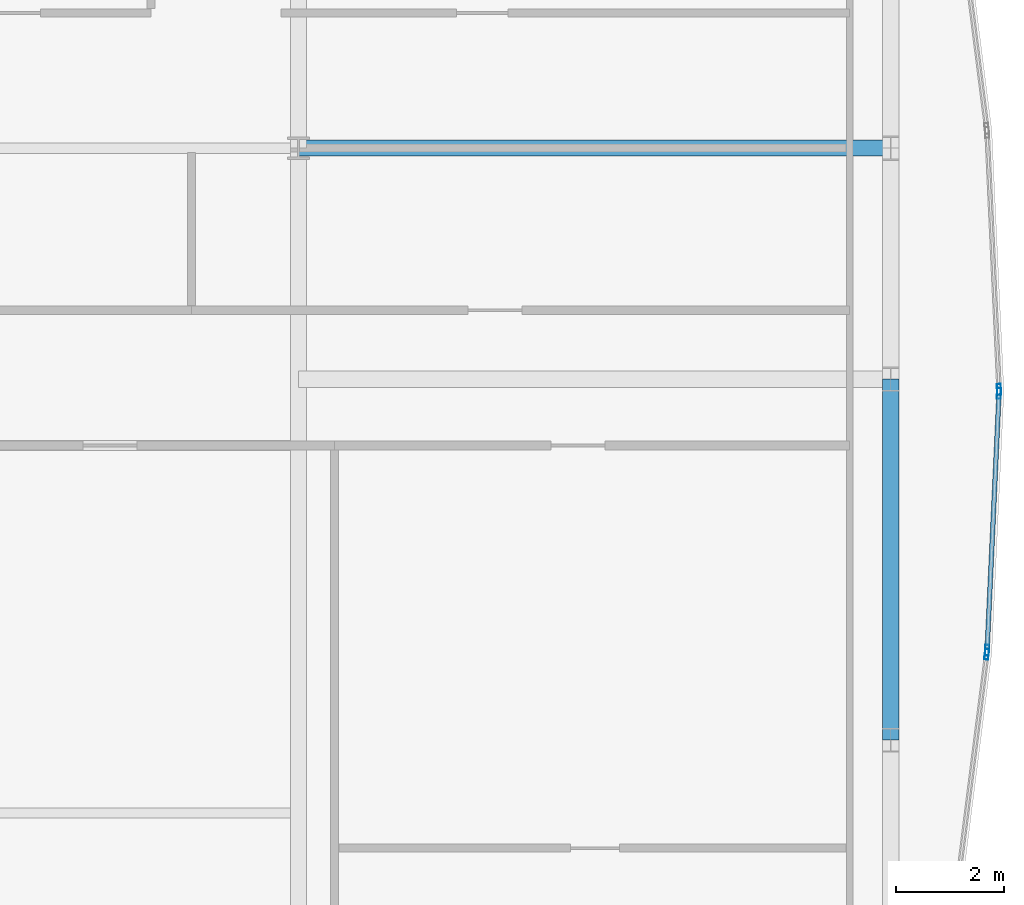
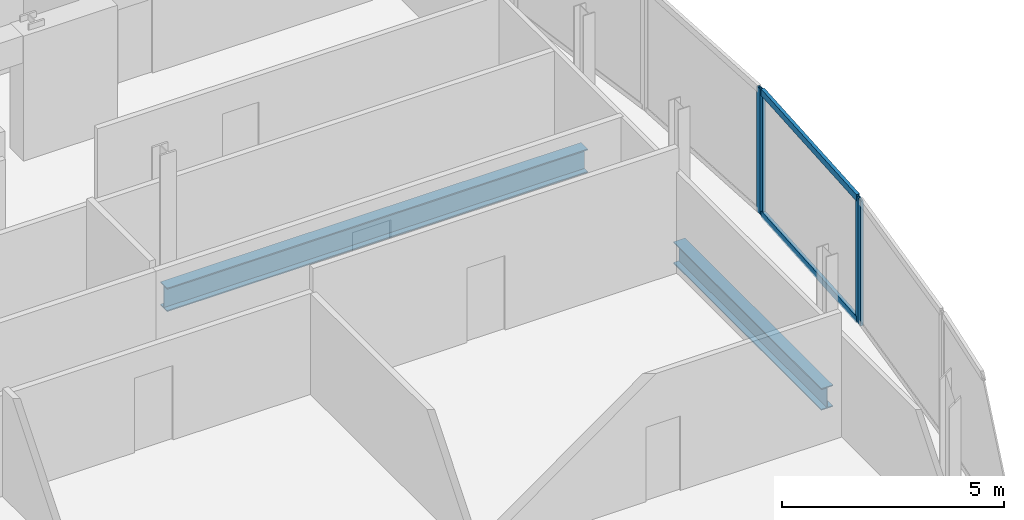
# One storey, part 18 of 30: 6 members, 2 beams, 3 elements without a shape of their own.
"""IFC4 building model written with IfcOpenShell, lengths in metres."""

from ifc_helpers import new_model, si_unit, direction, frame, origin, origin_2d, place, context, subcontext, project, spatial, hollow_rectangle, i_section, extrude, material, material_profile, profile_set, type_object, element, aggregate, save


model = new_model("IFC4")

# Units and contexts
model_context = context("Model", 3, precision=1e-05, world=origin(), true_north=direction((0.0, 1.0)))
body_context = subcontext(model_context, "Body", "Model", "MODEL_VIEW")
ifc_project = project(units=[si_unit("LENGTHUNIT", "METRE"), si_unit("AREAUNIT", "SQUARE_METRE"), si_unit("VOLUMEUNIT", "CUBIC_METRE"), si_unit("PLANEANGLEUNIT", "RADIAN"), si_unit("MASSUNIT", "GRAM", prefix="KILO")], contexts=[model_context])

# Site, building, storey
site_placement = place(None, origin())
site = spatial("IfcSite", under=ifc_project, at=site_placement, CompositionType="ELEMENT")
building_placement = place(site_placement, origin())
building = spatial("IfcBuilding", under=site, at=building_placement, Name="Khoronbel Lancet Exchange", CompositionType="ELEMENT")
storey_placement = place(building_placement, frame((0.0, 0.0, 224.60009765625)))
storey = spatial("IfcBuildingStorey", under=building, at=storey_placement, Name="L57", CompositionType="ELEMENT", Elevation=224.60009765625)

# Beams
ifc_material_1 = material(Name="Steel S355", Category="steel")
ifc_material_profile_1 = material_profile(ifc_material_1, i_section(OverallWidth=0.300048828125, OverallDepth=0.64990234375, WebThickness=0.01611328125, FlangeThickness=0.031005859375, at=origin_2d()), Name="HEB 650")
ifc_profile_set_1 = profile_set([ifc_material_profile_1], Name="Steel S355")
beam_type_1 = type_object("IfcBeamType", Name="BM-BG4", PredefinedType="BEAM", material=ifc_profile_set_1)
beam_1_placement = place(storey_placement, frame((54.675048828125, 35.699951171875, -0.485107421875), z_axis=(1.0, 0.0, 0.0), x_axis=(0.0, 1.0, 0.0)))
element("IfcBeam", 1, at=beam_1_placement, inside=storey, type_object=beam_type_1, Name="Level L57 east lens tie girder LG4E", PredefinedType="BEAM", context=body_context, shape_type="SweptSolid", body=[
    extrude(i_section(OverallWidth=0.300048828125, OverallDepth=0.64990234375, WebThickness=0.01611328125, FlangeThickness=0.031005859375, at=origin_2d()), origin(), (0.0, 0.0, 1.0), 10.954833984375),
])
ifc_material_profile_2 = material_profile(ifc_material_1, i_section(OverallWidth=0.300048828125, OverallDepth=0.60009765625, WebThickness=0.015380859375, FlangeThickness=0.030029296875, at=origin_2d()), Name="HEB 600")
ifc_profile_set_2 = profile_set([ifc_material_profile_2], Name="Steel S355")
beam_type_2 = type_object("IfcBeamType", Name="BM-BSP2", PredefinedType="SPANDREL", material=ifc_profile_set_2)
beam_2_placement = place(storey_placement, frame((65.6298828125, 24.75, -0.460205078125), z_axis=(0.0, 1.0, 0.0), x_axis=(-1.0, 0.0, 0.0)))
element("IfcBeam", 2, at=beam_2_placement, inside=storey, type_object=beam_type_2, Name="Level L57 perimeter spandrel beam SP12", PredefinedType="SPANDREL", context=body_context, shape_type="SweptSolid", body=[
    extrude(i_section(OverallWidth=0.300048828125, OverallDepth=0.60009765625, WebThickness=0.015380859375, FlangeThickness=0.030029296875, at=origin_2d()), origin(), (0.0, 0.0, 1.0), 6.675048828125),
])

# Curtain wall, member
ifc_material_2 = material(Name="Low-E Solar Control Insulating Glass", Category="glass")
curtain_wall_type = type_object("IfcCurtainWallType", Name="CW-4", PredefinedType="NOTDEFINED", material=ifc_material_2)
curtain_wall_1_placement = place(storey_placement, origin())
curtain_wall_1 = element("IfcCurtainWall", 3, at=curtain_wall_1_placement, inside=storey, type_object=curtain_wall_type, Name="Unitised curtain wall CW-L57-E19", PredefinedType="NOTDEFINED")
ifc_material_3 = material(Name="Bronze-Anodised Aluminium 6063-T6", Category="aluminium")
ifc_material_profile_3 = material_profile(ifc_material_3, hollow_rectangle(XDim=0.074951171875, YDim=0.199951171875, WallThickness=0.0048828125, at=origin_2d()), Name="ALU MULLION 75x200")
ifc_profile_set_3 = profile_set([ifc_material_profile_3], Name="Bronze-Anodised Aluminium 6063-T6")
member_type_1 = type_object("IfcMemberType", Name="MEM-CWM2", PredefinedType="MULLION", material=ifc_profile_set_3)
member_1_placement = place(storey_placement, frame((67.63427734375, 31.237548828125, 0.0), z_axis=(0.0, 0.0, 1.0), x_axis=(0.998923368026, 0.046390783703, 0.0)))
member_1 = element("IfcMember", 4, at=member_1_placement, type_object=member_type_1, Name="CW4 mullion 2", PredefinedType="MULLION", context=body_context, shape_type="SweptSolid", body=[
    extrude(hollow_rectangle(XDim=0.074951171875, YDim=0.199951171875, WallThickness=0.0048828125, at=origin_2d()), origin(), (0.0, 0.0, 1.0), 3.43994140625),
])
aggregate(curtain_wall_1, [member_1])

# Curtain wall, members
curtain_wall_2_placement = place(storey_placement, origin())
curtain_wall_2 = element("IfcCurtainWall", 5, at=curtain_wall_2_placement, inside=storey, type_object=curtain_wall_type, Name="Unitised curtain wall CW-L57-E20", PredefinedType="NOTDEFINED")
member_2_placement = place(storey_placement, frame((67.63427734375, 31.16259765625, 0.0), z_axis=(0.0, 0.0, 1.0), x_axis=(0.998923368026, -0.046390783703, 0.0)))
member_2 = element("IfcMember", 6, at=member_2_placement, type_object=member_type_1, Name="CW4 mullion 1", PredefinedType="MULLION", context=body_context, shape_type="SweptSolid", body=[
    extrude(hollow_rectangle(XDim=0.074951171875, YDim=0.199951171875, WallThickness=0.0048828125, at=origin_2d()), origin(), (0.0, 0.0, 1.0), 3.43994140625),
])
member_3_placement = place(storey_placement, frame((67.41357421875, 26.411865234375, 0.0), z_axis=(0.0, 0.0, 1.0), x_axis=(0.998923368026, -0.046390783703, 0.0)))
member_3 = element("IfcMember", 7, at=member_3_placement, type_object=member_type_1, Name="CW4 mullion 2", PredefinedType="MULLION", context=body_context, shape_type="SweptSolid", body=[
    extrude(hollow_rectangle(XDim=0.074951171875, YDim=0.199951171875, WallThickness=0.0048828125, at=origin_2d()), origin(), (0.0, 0.0, 1.0), 3.43994140625),
])

# Curtain wall, member
curtain_wall_3_placement = place(storey_placement, origin())
curtain_wall_3 = element("IfcCurtainWall", 8, at=curtain_wall_3_placement, inside=storey, type_object=curtain_wall_type, Name="Unitised curtain wall CW-L57-E21", PredefinedType="NOTDEFINED")
member_4_placement = place(storey_placement, frame((67.406982421875, 26.33740234375, 0.0), z_axis=(0.0, 0.0, 1.0), x_axis=(0.992040249604, -0.125921178381, 0.0)))
member_4 = element("IfcMember", 9, at=member_4_placement, type_object=member_type_1, Name="CW4 mullion 1", PredefinedType="MULLION", context=body_context, shape_type="SweptSolid", body=[
    extrude(hollow_rectangle(XDim=0.074951171875, YDim=0.199951171875, WallThickness=0.0048828125, at=origin_2d()), origin(), (0.0, 0.0, 1.0), 3.43994140625),
])
aggregate(curtain_wall_3, [member_4])

# Member
ifc_material_profile_4 = material_profile(ifc_material_3, hollow_rectangle(XDim=0.0849609375, YDim=0.179931640625, WallThickness=0.0048828125, at=origin_2d()), Name="ALU TRANSOM 85x180")
ifc_profile_set_4 = profile_set([ifc_material_profile_4], Name="Bronze-Anodised Aluminium 6063-T6")
member_type_2 = type_object("IfcMemberType", Name="MEM-CWT1", PredefinedType="USERDEFINED", material=ifc_profile_set_4)
member_5_placement = place(storey_placement, frame((67.63232421875, 31.125, 0.04248046875), z_axis=(-0.046370618064, -0.99892430433, 0.0), x_axis=(0.99892430433, -0.046370618064, 0.0)))
member_5 = element("IfcMember", 10, at=member_5_placement, type_object=member_type_2, Name="CW4 transom 1.1", ObjectType="TRANSOM", PredefinedType="USERDEFINED", context=body_context, shape_type="SweptSolid", body=[
    extrude(hollow_rectangle(XDim=0.0849609375, YDim=0.179931640625, WallThickness=0.0048828125, at=origin_2d()), origin(), (0.0, 0.0, 1.0), 4.6806640625),
])

member_6_placement = place(storey_placement, frame((67.63232421875, 31.125, 3.3974609375), z_axis=(-0.046370618064, -0.99892430433, 0.0), x_axis=(0.99892430433, -0.046370618064, 0.0)))
member_6 = element("IfcMember", 11, at=member_6_placement, type_object=member_type_2, Name="CW4 transom 1.2", ObjectType="TRANSOM", PredefinedType="USERDEFINED", context=body_context, shape_type="SweptSolid", body=[
    extrude(hollow_rectangle(XDim=0.0849609375, YDim=0.179931640625, WallThickness=0.0048828125, at=origin_2d()), origin(), (0.0, 0.0, 1.0), 4.6806640625),
])

aggregate(curtain_wall_2, [member_2, member_3, member_5, member_6])

save(model, "model.ifc")
